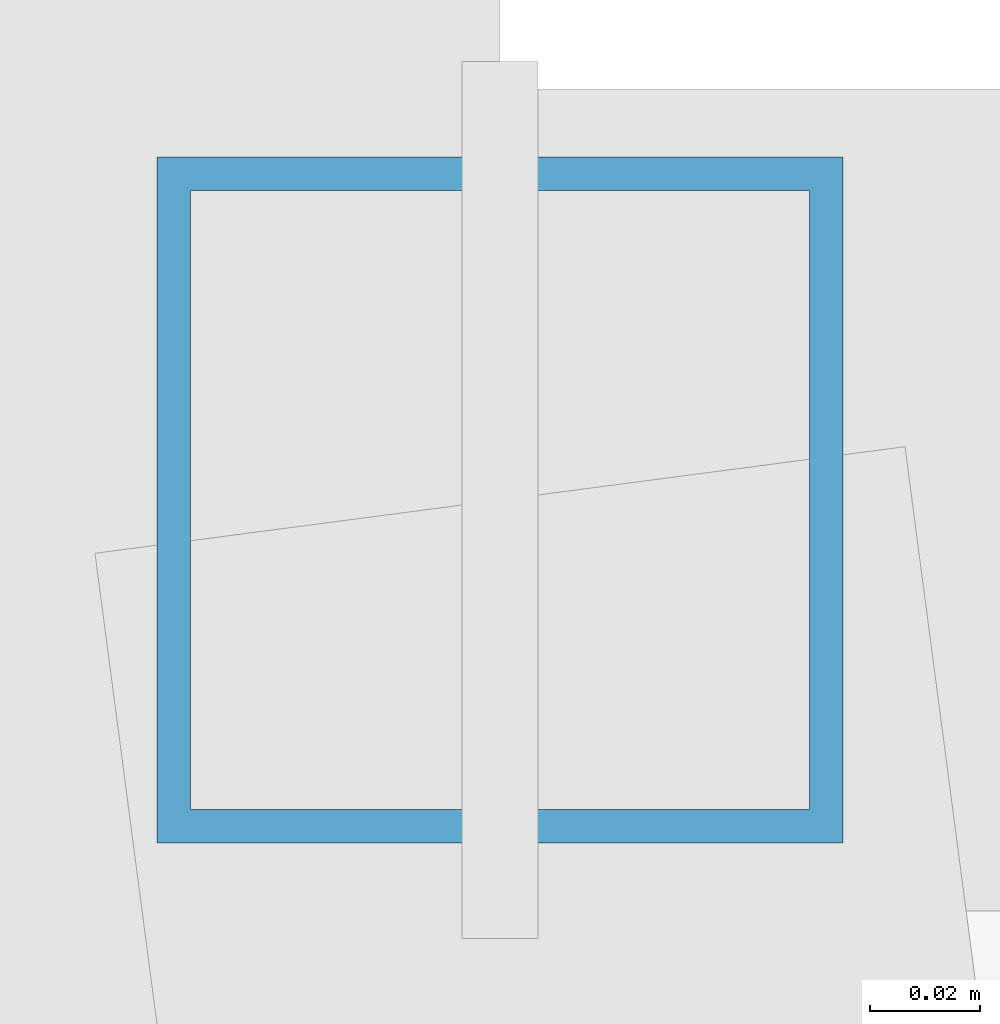
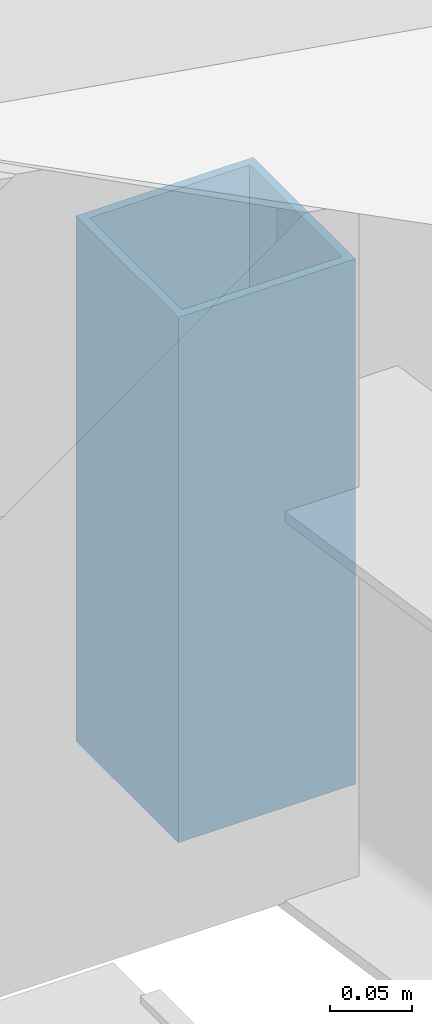
# One storey, part 33 of 70: 1 member.
"""IFC4 building model written with IfcOpenShell, lengths in metres."""

import ifcopenshell
import ifcopenshell.guid

model = None  # the IFC model being written
_history = None  # IfcOwnerHistory: only IFC2X3 demands one
_inside = {}  # id of a spatial element -> (the spatial element, [elements in it])
_under = {}  # id of a project, library or spatial element -> (it, [spatial elements below it])
_declared = {}  # id of a project -> (the project, [libraries it declares])
_typed = {}  # id of a type object -> (the type object, [elements of that type])
_made_of = {}  # id of a material, layer set ... -> (it, [elements and type objects made of it])


def new_model(schema):
    """Start an empty IFC model of exactly this schema.

    Asked for "IFC4X3", IfcOpenShell would pick the latest addendum, in which some entities
    have other attributes; the version numbers below select the first issue.
    IFC2X3 requires an IfcOwnerHistory on every rooted entity: one is made here for all.
    """
    global model, _history
    if schema == "IFC4X3":
        model = ifcopenshell.file(schema_version=(4, 3, 0, 0))
    else:
        model = ifcopenshell.file(schema=schema)
    _inside.clear()
    _under.clear()
    _declared.clear()
    _typed.clear()
    _made_of.clear()
    _history = None
    if model.schema == "IFC2X3":
        org = make("IfcOrganization", Name="unknown")
        user = make(
            "IfcPersonAndOrganization",
            ThePerson=make("IfcPerson", FamilyName="unknown"),
            TheOrganization=org,
        )
        app = make(
            "IfcApplication",
            ApplicationDeveloper=org,
            Version="unknown",
            ApplicationFullName="unknown",
            ApplicationIdentifier="unknown",
        )
        _history = make(
            "IfcOwnerHistory",
            OwningUser=user,
            OwningApplication=app,
            ChangeAction="ADDED",
            CreationDate=0,
        )
    return model


def make(cls, **values):
    """One entity of the class cls with the attributes given. An attribute that is None is left unset."""
    return model.create_entity(
        cls, **{name: value for name, value in values.items() if value is not None}
    )


def rooted(cls, **values):
    """An entity with a GlobalId (a new one), such as an element, a storey or a relation."""
    return make(cls, GlobalId=ifcopenshell.guid.new(), OwnerHistory=_history, **values)


def si_unit(unit_type, name, prefix=None):
    """IfcSIUnit, for example si_unit("LENGTHUNIT", "METRE", prefix="MILLI")."""
    return make("IfcSIUnit", UnitType=unit_type, Prefix=prefix, Name=name)


def assignment(units):
    """IfcUnitAssignment: the units of a project."""
    return None if units is None else make("IfcUnitAssignment", Units=units)


def point(xyz):
    """IfcCartesianPoint."""
    return None if xyz is None else make("IfcCartesianPoint", Coordinates=xyz)


def direction(xyz):
    """IfcDirection."""
    return None if xyz is None else make("IfcDirection", DirectionRatios=xyz)


def frame(location, z_axis=None, x_axis=None):
    """IfcAxis2Placement3D, a coordinate frame: its origin and axes. An axis left out is left unset."""
    return make(
        "IfcAxis2Placement3D",
        Location=point(location),
        Axis=direction(z_axis),
        RefDirection=direction(x_axis),
    )


def frame_2d(location, x_axis=None):
    """IfcAxis2Placement2D, a coordinate frame in the plane: its origin and x axis."""
    return make(
        "IfcAxis2Placement2D", Location=point(location), RefDirection=direction(x_axis)
    )


def origin():
    """The frame at (0, 0, 0) with its axes left unset."""
    return frame((0.0, 0.0, 0.0))


def origin_2d():
    """The frame at (0, 0) in the plane with its x axis left unset."""
    return frame_2d((0.0, 0.0))


def place(relative_to, where):
    """IfcLocalPlacement: puts the frame where relative to a parent placement (None: the world)."""
    return make(
        "IfcLocalPlacement", PlacementRelTo=relative_to, RelativePlacement=where
    )


def context(
    kind, dimensions, precision=None, world=None, true_north=None, identifier=None
):
    """IfcGeometricRepresentationContext, for example the 3D "Model" context."""
    return make(
        "IfcGeometricRepresentationContext",
        ContextIdentifier=identifier,
        ContextType=kind,
        CoordinateSpaceDimension=dimensions,
        Precision=precision,
        WorldCoordinateSystem=world,
        TrueNorth=true_north,
    )


def subcontext(parent, identifier, kind, view, scale=None):
    """IfcGeometricRepresentationSubContext, for example "Body" below "Model"."""
    return make(
        "IfcGeometricRepresentationSubContext",
        ContextIdentifier=identifier,
        ContextType=kind,
        ParentContext=parent,
        TargetScale=scale,
        TargetView=view,
    )


def project(units=None, contexts=None):
    """IfcProject with its units and contexts."""
    return rooted(
        "IfcProject",
        Name="project",
        RepresentationContexts=contexts,
        UnitsInContext=assignment(units),
    )


def spatial(cls, under=None, at=None, **own):
    """A site, building, storey or space (cls), placed at a placement, below another one or the project."""
    s = rooted(cls, ObjectPlacement=at, **own)
    if under is not None:
        _under.setdefault(under.id(), (under, []))[1].append(s)
    return s


def profile(cls, at=None, kind="AREA", **sizes):
    """A parametric profile (cls). Its sizes go by their IFC names, for example OverallWidth=200.0."""
    return make(cls, ProfileType=kind, Position=at, **sizes)


def hollow_rectangle(**sizes):
    """IfcRectangleHollowProfileDef."""
    return profile("IfcRectangleHollowProfileDef", **sizes)


def extrude(swept, where, along, depth):
    """IfcExtrudedAreaSolid: the profile swept, set in the frame where, extruded along a direction by depth."""
    return make(
        "IfcExtrudedAreaSolid",
        SweptArea=swept,
        Position=where,
        ExtrudedDirection=direction(along),
        Depth=depth,
    )


def shape(context_of_items, identifier, shape_type, items):
    """IfcShapeRepresentation: the items that make up one representation, for example the "Body"."""
    return make(
        "IfcShapeRepresentation",
        ContextOfItems=context_of_items,
        RepresentationIdentifier=identifier,
        RepresentationType=shape_type,
        Items=items,
    )


def material(Name=None, Category=None):
    """IfcMaterial."""
    return make("IfcMaterial", Name=Name, Category=Category)


def material_profile(
    of_material, cross_section, Name=None, Category=None, Priority=None
):
    """IfcMaterialProfile: a cross section and its material."""
    return make(
        "IfcMaterialProfile",
        Name=Name,
        Material=of_material,
        Profile=cross_section,
        Priority=Priority,
        Category=Category,
    )


def profile_set(profiles, Name=None, composite=None):
    """IfcMaterialProfileSet."""
    return make(
        "IfcMaterialProfileSet",
        Name=Name,
        MaterialProfiles=profiles,
        CompositeProfile=composite,
    )


def made_of(thing, what):
    """Note that an element or type object is made of a material, layer set ...; save() writes the relation."""
    if what is not None:
        _made_of.setdefault(what.id(), (what, []))[1].append(thing)
    return thing


def type_object(cls, material=None, **own):
    """A type object (cls), such as IfcWallType, which elements share."""
    return made_of(rooted(cls, **own), material)


def element(
    cls,
    number,
    at=None,
    inside=None,
    cuts=None,
    type_object=None,
    material=None,
    context=None,
    identifier="Body",
    shape_type=None,
    held_by="IfcProductDefinitionShape",
    body=None,
    shapes=None,
    **own,
):
    """One element of the class cls, such as IfcWall. Its Tag is "e" and its number.

    at: its placement. inside: the storey or other place that contains it. cuts: it is an
    opening in that element (IfcRelVoidsElement). A single representation is given by context,
    identifier, shape_type and body (its items); several are given by shapes. held_by: the class
    of the entity that holds the representations. save() writes the other relations.
    """
    e = rooted(cls, Tag="e%d" % number, ObjectPlacement=at, **own)
    if body is not None:
        shapes = [shape(context, identifier, shape_type, body)]
    if shapes is not None:
        e.Representation = make(held_by, Representations=shapes)
    if inside is not None:
        _inside.setdefault(inside.id(), (inside, []))[1].append(e)
    if cuts is not None:
        rooted(
            "IfcRelVoidsElement", RelatingBuildingElement=cuts, RelatedOpeningElement=e
        )
    if type_object is not None:
        _typed.setdefault(type_object.id(), (type_object, []))[1].append(e)
    return made_of(e, material)


def aggregate(whole, parts):
    """IfcRelAggregates: a whole, such as a stair, and the parts it consists of."""
    return rooted("IfcRelAggregates", RelatingObject=whole, RelatedObjects=parts)


def save(model, path):
    """Write the relations noted so far, then the file.

    IfcRelAggregates (storeys below a building ...), IfcRelContainedInSpatialStructure (elements
    in a storey), IfcRelDefinesByType, IfcRelAssociatesMaterial and IfcRelDeclares: one each for
    every whole, place, type object, material and project.
    """
    for whole, parts in _under.values():
        aggregate(whole, parts)
    for where, things in _inside.values():
        rooted(
            "IfcRelContainedInSpatialStructure",
            RelatedElements=things,
            RelatingStructure=where,
        )
    for kind, things in _typed.values():
        rooted("IfcRelDefinesByType", RelatedObjects=things, RelatingType=kind)
    for what, things in _made_of.values():
        rooted("IfcRelAssociatesMaterial", RelatedObjects=things, RelatingMaterial=what)
    for by, libraries in _declared.values():
        rooted("IfcRelDeclares", RelatingContext=by, RelatedDefinitions=libraries)
    model.write(path)


model = new_model("IFC4")

# Units and contexts
model_context = context("Model", 3, precision=1e-05, world=origin(), true_north=direction((0.0, 1.0)))
body_context = subcontext(model_context, "Body", "Model", "MODEL_VIEW")
ifc_project = project(units=[si_unit("LENGTHUNIT", "METRE"), si_unit("AREAUNIT", "SQUARE_METRE"), si_unit("VOLUMEUNIT", "CUBIC_METRE"), si_unit("PLANEANGLEUNIT", "RADIAN"), si_unit("MASSUNIT", "GRAM", prefix="KILO")], contexts=[model_context])

# Site, building, storey
site_placement = place(None, origin())
site = spatial("IfcSite", under=ifc_project, at=site_placement, CompositionType="ELEMENT")
building_placement = place(site_placement, origin())
building = spatial("IfcBuilding", under=site, at=building_placement, Name="Vondelvale Polytechnic", CompositionType="ELEMENT")
storey_placement = place(building_placement, frame((0.0, 0.0, 22.199951171875)))
storey = spatial("IfcBuildingStorey", under=building, at=storey_placement, Name="L05", CompositionType="ELEMENT", Elevation=22.199951171875)

# Member
ifc_material = material(Name="Steel C350L0 (fy = 350 MPa)", Category="steel")
ifc_material_profile = material_profile(ifc_material, hollow_rectangle(XDim=0.125, YDim=0.125, WallThickness=0.006103515625, at=origin_2d()), Name="125x125x6.0SHS")
ifc_profile_set = profile_set([ifc_material_profile], Name="Steel C350L0 (fy = 350 MPa)")
member_type = type_object("IfcMemberType", Name="ROOF TRUSS POST 125SHS", PredefinedType="POST", material=ifc_profile_set)
member_placement = place(storey_placement, frame((74.0, 72.0, 0.0), z_axis=(0.0, 0.0, 1.0), x_axis=(1.0, 0.0, 0.0)))
element("IfcMember", 1, at=member_placement, inside=storey, type_object=member_type, Name="Ring inner eave post 12", PredefinedType="POST", context=body_context, shape_type="SweptSolid", body=[
    extrude(hollow_rectangle(XDim=0.125, YDim=0.125, WallThickness=0.006103515625, at=origin_2d()), origin(), (0.0, 0.0, 1.0), 0.3916015625),
])

save(model, "model.ifc")
